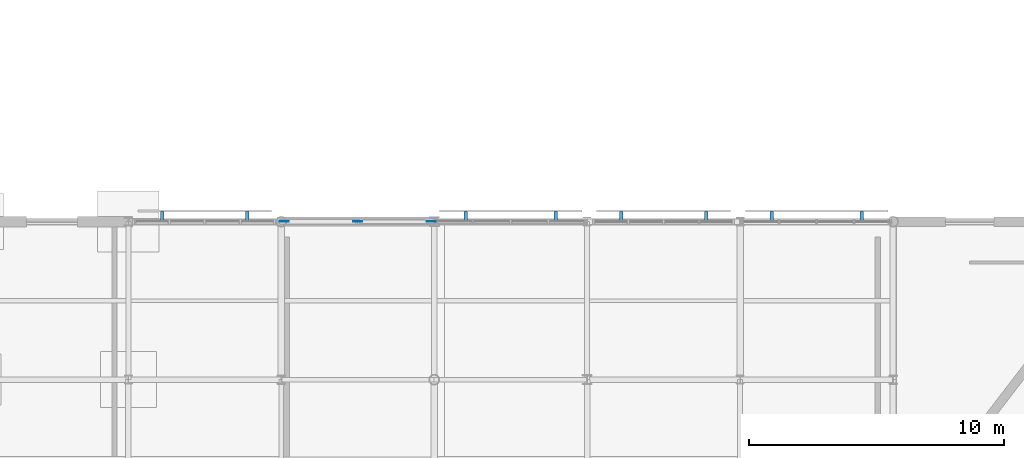
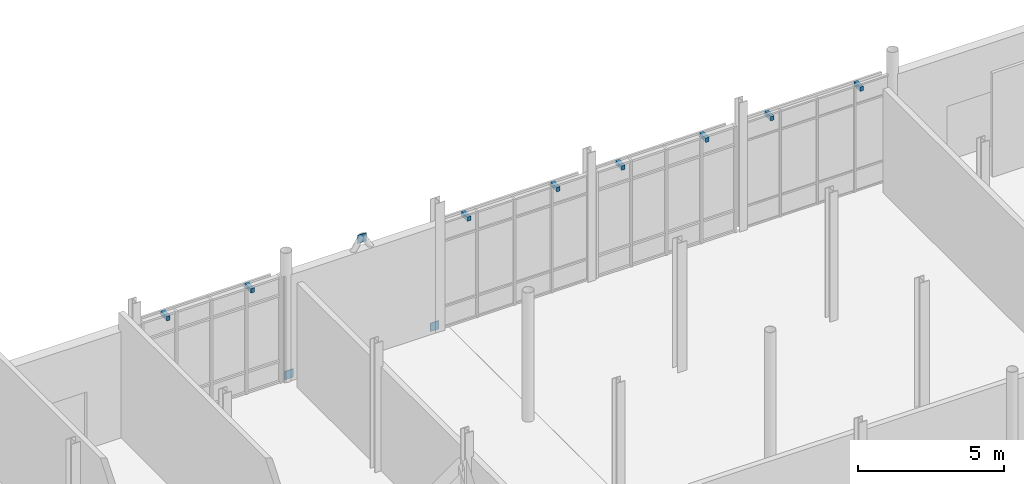
# One storey, part 80 of 98: 11 discrete accessories.
"""IFC4 building model written with IfcOpenShell, lengths in metres."""

from ifc_helpers import new_model, si_unit, direction, frame, origin, origin_2d, place, context, subcontext, project, spatial, rectangle, extrude, material, type_object, element, save


model = new_model("IFC4")

# Units and contexts
model_context = context("Model", 3, precision=1e-05, world=origin(), true_north=direction((0.0, 1.0)))
body_context = subcontext(model_context, "Body", "Model", "MODEL_VIEW")
ifc_project = project(units=[si_unit("LENGTHUNIT", "METRE"), si_unit("AREAUNIT", "SQUARE_METRE"), si_unit("VOLUMEUNIT", "CUBIC_METRE"), si_unit("PLANEANGLEUNIT", "RADIAN"), si_unit("MASSUNIT", "GRAM", prefix="KILO")], contexts=[model_context])

# Site, building, storey
site_placement = place(None, origin())
site = spatial("IfcSite", under=ifc_project, at=site_placement, CompositionType="ELEMENT")
building_placement = place(site_placement, origin())
building = spatial("IfcBuilding", under=site, at=building_placement, Name="Mirzam Square Science Centre", CompositionType="ELEMENT")
storey_placement = place(building_placement, origin())
storey = spatial("IfcBuildingStorey", under=building, at=storey_placement, Name="L00", CompositionType="ELEMENT", Elevation=0.0)

# Discrete accessories
ifc_material = material(Name="Steel S355", Category="steel")
discrete_accessory_type_1 = type_object("IfcDiscreteAccessoryType", Name="BK-BRACE-GUSSET", PredefinedType="BRACKET", material=ifc_material)
for number, where, z_axis, x_axis, name in (
    (1, (36.1201171875, 80.60009765625, -0.005126953125), (0.0, 0.0, 1.0), (1.0, 0.0, 0.0), "L00 brace gusset plate 3A"),
    (2, (41.8798828125, 80.60009765625, -0.005126953125), (0.0, 0.0, 1.0), (1.0, 0.0, 0.0), "L00 brace gusset plate 3B"),
    (3, (39.0, 80.60009765625, 4.679931640625), (0.0, 0.0, 1.0), (1.0, 0.0, 0.0), "L00 brace apex gusset plate 3"),
):
    element("IfcDiscreteAccessory", number, at=place(storey_placement, frame(where, z_axis=z_axis, x_axis=x_axis)), inside=storey, type_object=discrete_accessory_type_1, Name=name, PredefinedType="BRACKET", context=body_context, shape_type="SweptSolid", body=[
        extrude(rectangle(XDim=0.35009765625, YDim=0.02490234375, at=origin_2d()), origin(), (0.0, 0.0, 1.0), 0.35009765625),
    ])
discrete_accessory_type_2 = type_object("IfcDiscreteAccessoryType", Name="BRK-BRISE-STEEL", PredefinedType="BRACKET", material=ifc_material)
for number, where, z_axis, x_axis, name in (
    (4, (34.6650390625, 80.7900390625, 4.10009765625), (0.0, 0.0, 1.0), (-1.0, 0.0, 0.0), "L00 brise-soleil support bracket 3"),
    (5, (31.3349609375, 80.7900390625, 4.10009765625), (0.0, 0.0, 1.0), (-1.0, 0.0, 0.0), "L00 brise-soleil support bracket 3"),
    (6, (46.76708984375, 80.7900390625, 4.10009765625), (0.0, 0.0, 1.0), (-1.0, 0.0, 0.0), "L00 brise-soleil support bracket 4"),
    (7, (43.23291015625, 80.7900390625, 4.10009765625), (0.0, 0.0, 1.0), (-1.0, 0.0, 0.0), "L00 brise-soleil support bracket 4"),
    (8, (52.6650390625, 80.7900390625, 4.10009765625), (0.0, 0.0, 1.0), (-1.0, 0.0, 0.0), "L00 brise-soleil support bracket 5"),
    (9, (49.3349609375, 80.7900390625, 4.10009765625), (0.0, 0.0, 1.0), (-1.0, 0.0, 0.0), "L00 brise-soleil support bracket 5"),
    (10, (58.76708984375, 80.7900390625, 4.10009765625), (0.0, 0.0, 1.0), (-1.0, 0.0, 0.0), "L00 brise-soleil support bracket 6"),
    (11, (55.23291015625, 80.7900390625, 4.10009765625), (0.0, 0.0, 1.0), (-1.0, 0.0, 0.0), "L00 brise-soleil support bracket 6"),
):
    element("IfcDiscreteAccessory", number, at=place(storey_placement, frame(where, z_axis=z_axis, x_axis=x_axis)), inside=storey, type_object=discrete_accessory_type_2, Name=name, PredefinedType="BRACKET", context=body_context, shape_type="SweptSolid", body=[
        extrude(rectangle(XDim=0.139892578125, YDim=0.419921875, at=origin_2d()), origin(), (0.0, 0.0, 1.0), 0.179931640625),
    ])

save(model, "model.ifc")
